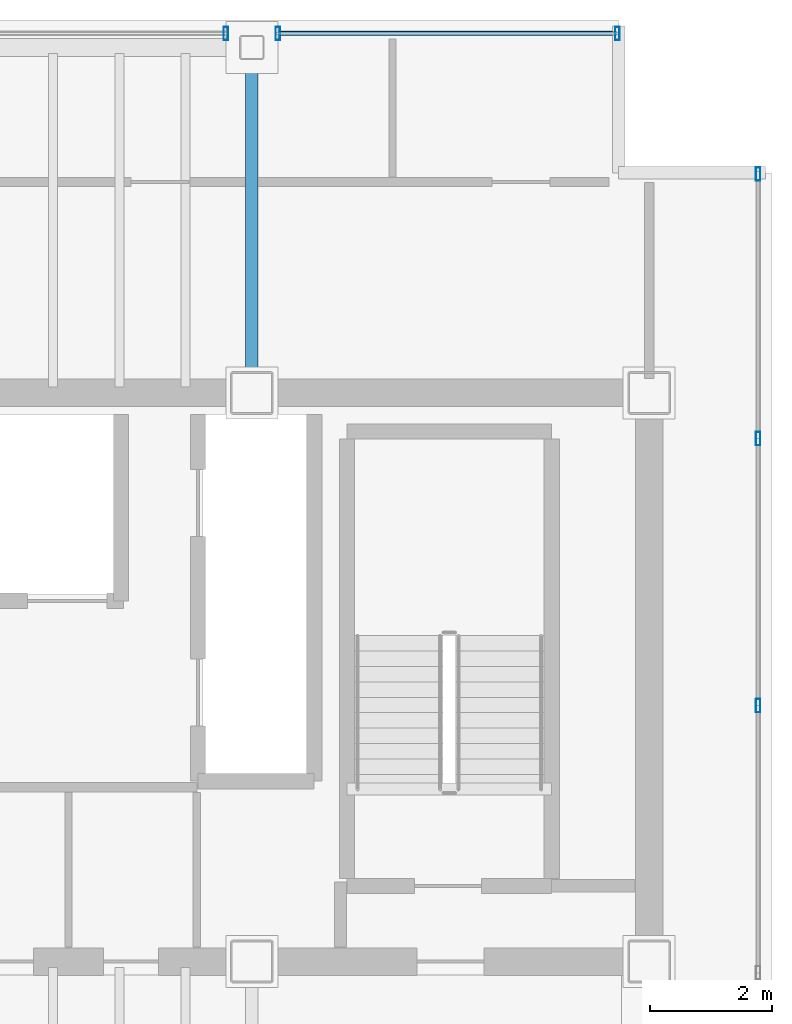
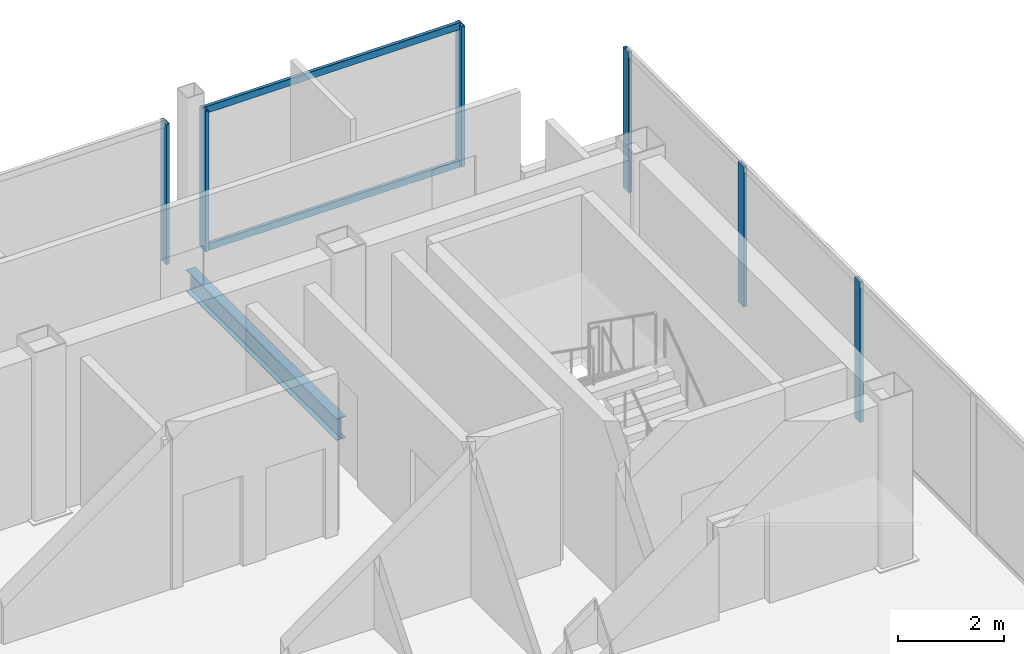
# One storey, part 13 of 17: 8 members, 1 beam, 3 elements without a shape of their own.
"""IFC4 building model written with IfcOpenShell, lengths in metres."""

import ifcopenshell
import ifcopenshell.guid

model = None  # the IFC model being written
_history = None  # IfcOwnerHistory: only IFC2X3 demands one
_inside = {}  # id of a spatial element -> (the spatial element, [elements in it])
_under = {}  # id of a project, library or spatial element -> (it, [spatial elements below it])
_declared = {}  # id of a project -> (the project, [libraries it declares])
_typed = {}  # id of a type object -> (the type object, [elements of that type])
_made_of = {}  # id of a material, layer set ... -> (it, [elements and type objects made of it])


def new_model(schema):
    """Start an empty IFC model of exactly this schema.

    Asked for "IFC4X3", IfcOpenShell would pick the latest addendum, in which some entities
    have other attributes; the version numbers below select the first issue.
    IFC2X3 requires an IfcOwnerHistory on every rooted entity: one is made here for all.
    """
    global model, _history
    if schema == "IFC4X3":
        model = ifcopenshell.file(schema_version=(4, 3, 0, 0))
    else:
        model = ifcopenshell.file(schema=schema)
    _inside.clear()
    _under.clear()
    _declared.clear()
    _typed.clear()
    _made_of.clear()
    _history = None
    if model.schema == "IFC2X3":
        org = make("IfcOrganization", Name="unknown")
        user = make(
            "IfcPersonAndOrganization",
            ThePerson=make("IfcPerson", FamilyName="unknown"),
            TheOrganization=org,
        )
        app = make(
            "IfcApplication",
            ApplicationDeveloper=org,
            Version="unknown",
            ApplicationFullName="unknown",
            ApplicationIdentifier="unknown",
        )
        _history = make(
            "IfcOwnerHistory",
            OwningUser=user,
            OwningApplication=app,
            ChangeAction="ADDED",
            CreationDate=0,
        )
    return model


def make(cls, **values):
    """One entity of the class cls with the attributes given. An attribute that is None is left unset."""
    return model.create_entity(
        cls, **{name: value for name, value in values.items() if value is not None}
    )


def rooted(cls, **values):
    """An entity with a GlobalId (a new one), such as an element, a storey or a relation."""
    return make(cls, GlobalId=ifcopenshell.guid.new(), OwnerHistory=_history, **values)


def si_unit(unit_type, name, prefix=None):
    """IfcSIUnit, for example si_unit("LENGTHUNIT", "METRE", prefix="MILLI")."""
    return make("IfcSIUnit", UnitType=unit_type, Prefix=prefix, Name=name)


def assignment(units):
    """IfcUnitAssignment: the units of a project."""
    return None if units is None else make("IfcUnitAssignment", Units=units)


def point(xyz):
    """IfcCartesianPoint."""
    return None if xyz is None else make("IfcCartesianPoint", Coordinates=xyz)


def direction(xyz):
    """IfcDirection."""
    return None if xyz is None else make("IfcDirection", DirectionRatios=xyz)


def frame(location, z_axis=None, x_axis=None):
    """IfcAxis2Placement3D, a coordinate frame: its origin and axes. An axis left out is left unset."""
    return make(
        "IfcAxis2Placement3D",
        Location=point(location),
        Axis=direction(z_axis),
        RefDirection=direction(x_axis),
    )


def frame_2d(location, x_axis=None):
    """IfcAxis2Placement2D, a coordinate frame in the plane: its origin and x axis."""
    return make(
        "IfcAxis2Placement2D", Location=point(location), RefDirection=direction(x_axis)
    )


def origin():
    """The frame at (0, 0, 0) with its axes left unset."""
    return frame((0.0, 0.0, 0.0))


def origin_2d():
    """The frame at (0, 0) in the plane with its x axis left unset."""
    return frame_2d((0.0, 0.0))


def place(relative_to, where):
    """IfcLocalPlacement: puts the frame where relative to a parent placement (None: the world)."""
    return make(
        "IfcLocalPlacement", PlacementRelTo=relative_to, RelativePlacement=where
    )


def context(
    kind, dimensions, precision=None, world=None, true_north=None, identifier=None
):
    """IfcGeometricRepresentationContext, for example the 3D "Model" context."""
    return make(
        "IfcGeometricRepresentationContext",
        ContextIdentifier=identifier,
        ContextType=kind,
        CoordinateSpaceDimension=dimensions,
        Precision=precision,
        WorldCoordinateSystem=world,
        TrueNorth=true_north,
    )


def subcontext(parent, identifier, kind, view, scale=None):
    """IfcGeometricRepresentationSubContext, for example "Body" below "Model"."""
    return make(
        "IfcGeometricRepresentationSubContext",
        ContextIdentifier=identifier,
        ContextType=kind,
        ParentContext=parent,
        TargetScale=scale,
        TargetView=view,
    )


def project(units=None, contexts=None):
    """IfcProject with its units and contexts."""
    return rooted(
        "IfcProject",
        Name="project",
        RepresentationContexts=contexts,
        UnitsInContext=assignment(units),
    )


def spatial(cls, under=None, at=None, **own):
    """A site, building, storey or space (cls), placed at a placement, below another one or the project."""
    s = rooted(cls, ObjectPlacement=at, **own)
    if under is not None:
        _under.setdefault(under.id(), (under, []))[1].append(s)
    return s


def profile(cls, at=None, kind="AREA", **sizes):
    """A parametric profile (cls). Its sizes go by their IFC names, for example OverallWidth=200.0."""
    return make(cls, ProfileType=kind, Position=at, **sizes)


def hollow_rectangle(**sizes):
    """IfcRectangleHollowProfileDef."""
    return profile("IfcRectangleHollowProfileDef", **sizes)


def i_section(**sizes):
    """IfcIShapeProfileDef."""
    return profile("IfcIShapeProfileDef", **sizes)


def extrude(swept, where, along, depth):
    """IfcExtrudedAreaSolid: the profile swept, set in the frame where, extruded along a direction by depth."""
    return make(
        "IfcExtrudedAreaSolid",
        SweptArea=swept,
        Position=where,
        ExtrudedDirection=direction(along),
        Depth=depth,
    )


def shape(context_of_items, identifier, shape_type, items):
    """IfcShapeRepresentation: the items that make up one representation, for example the "Body"."""
    return make(
        "IfcShapeRepresentation",
        ContextOfItems=context_of_items,
        RepresentationIdentifier=identifier,
        RepresentationType=shape_type,
        Items=items,
    )


def material(Name=None, Category=None):
    """IfcMaterial."""
    return make("IfcMaterial", Name=Name, Category=Category)


def material_profile(
    of_material, cross_section, Name=None, Category=None, Priority=None
):
    """IfcMaterialProfile: a cross section and its material."""
    return make(
        "IfcMaterialProfile",
        Name=Name,
        Material=of_material,
        Profile=cross_section,
        Priority=Priority,
        Category=Category,
    )


def profile_set(profiles, Name=None, composite=None):
    """IfcMaterialProfileSet."""
    return make(
        "IfcMaterialProfileSet",
        Name=Name,
        MaterialProfiles=profiles,
        CompositeProfile=composite,
    )


def made_of(thing, what):
    """Note that an element or type object is made of a material, layer set ...; save() writes the relation."""
    if what is not None:
        _made_of.setdefault(what.id(), (what, []))[1].append(thing)
    return thing


def type_object(cls, material=None, **own):
    """A type object (cls), such as IfcWallType, which elements share."""
    return made_of(rooted(cls, **own), material)


def element(
    cls,
    number,
    at=None,
    inside=None,
    cuts=None,
    type_object=None,
    material=None,
    context=None,
    identifier="Body",
    shape_type=None,
    held_by="IfcProductDefinitionShape",
    body=None,
    shapes=None,
    **own,
):
    """One element of the class cls, such as IfcWall. Its Tag is "e" and its number.

    at: its placement. inside: the storey or other place that contains it. cuts: it is an
    opening in that element (IfcRelVoidsElement). A single representation is given by context,
    identifier, shape_type and body (its items); several are given by shapes. held_by: the class
    of the entity that holds the representations. save() writes the other relations.
    """
    e = rooted(cls, Tag="e%d" % number, ObjectPlacement=at, **own)
    if body is not None:
        shapes = [shape(context, identifier, shape_type, body)]
    if shapes is not None:
        e.Representation = make(held_by, Representations=shapes)
    if inside is not None:
        _inside.setdefault(inside.id(), (inside, []))[1].append(e)
    if cuts is not None:
        rooted(
            "IfcRelVoidsElement", RelatingBuildingElement=cuts, RelatedOpeningElement=e
        )
    if type_object is not None:
        _typed.setdefault(type_object.id(), (type_object, []))[1].append(e)
    return made_of(e, material)


def aggregate(whole, parts):
    """IfcRelAggregates: a whole, such as a stair, and the parts it consists of."""
    return rooted("IfcRelAggregates", RelatingObject=whole, RelatedObjects=parts)


def save(model, path):
    """Write the relations noted so far, then the file.

    IfcRelAggregates (storeys below a building ...), IfcRelContainedInSpatialStructure (elements
    in a storey), IfcRelDefinesByType, IfcRelAssociatesMaterial and IfcRelDeclares: one each for
    every whole, place, type object, material and project.
    """
    for whole, parts in _under.values():
        aggregate(whole, parts)
    for where, things in _inside.values():
        rooted(
            "IfcRelContainedInSpatialStructure",
            RelatedElements=things,
            RelatingStructure=where,
        )
    for kind, things in _typed.values():
        rooted("IfcRelDefinesByType", RelatedObjects=things, RelatingType=kind)
    for what, things in _made_of.values():
        rooted("IfcRelAssociatesMaterial", RelatedObjects=things, RelatingMaterial=what)
    for by, libraries in _declared.values():
        rooted("IfcRelDeclares", RelatingContext=by, RelatedDefinitions=libraries)
    model.write(path)


model = new_model("IFC4")

# Units and contexts
model_context = context("Model", 3, precision=1e-05, world=origin(), true_north=direction((0.0, 1.0)))
body_context = subcontext(model_context, "Body", "Model", "MODEL_VIEW")
ifc_project = project(units=[si_unit("LENGTHUNIT", "METRE"), si_unit("AREAUNIT", "SQUARE_METRE"), si_unit("VOLUMEUNIT", "CUBIC_METRE"), si_unit("PLANEANGLEUNIT", "RADIAN"), si_unit("MASSUNIT", "GRAM", prefix="KILO")], contexts=[model_context])

# Site, building, storey
site_placement = place(None, origin())
site = spatial("IfcSite", under=ifc_project, at=site_placement, CompositionType="ELEMENT")
building_placement = place(site_placement, origin())
building = spatial("IfcBuilding", under=site, at=building_placement, Name="Noeulbin Bourse Tower", CompositionType="ELEMENT")
storey_placement = place(building_placement, frame((0.0, 0.0, 273.5)))
storey = spatial("IfcBuildingStorey", under=building, at=storey_placement, Name="L68", CompositionType="ELEMENT", Elevation=273.5)

# Beam
ifc_material_1 = material(Name="Steel S355", Category="steel")
ifc_material_profile_1 = material_profile(ifc_material_1, i_section(OverallWidth=0.199951171875, OverallDepth=0.5, WebThickness=0.010009765625, FlangeThickness=0.01611328125, FilletRadius=0.02001953125, at=origin_2d()), Name="H-500x200x10x16", Category="LoadBearing")
ifc_profile_set_1 = profile_set([ifc_material_profile_1], Name="Steel S355")
beam_type = type_object("IfcBeamType", Name="BM-GRD-500", PredefinedType="USERDEFINED", material=ifc_profile_set_1)
beam_placement = place(storey_placement, frame((37.5, 38.300048828125, -0.429931640625), z_axis=(0.0, 1.0, 0.0), x_axis=(-1.0, 0.0, 0.0)))
element("IfcBeam", 1, at=beam_placement, inside=storey, type_object=beam_type, Name="Tower Primary Girder NS L68-4.4", ObjectType="GIRDER", PredefinedType="USERDEFINED", context=body_context, shape_type="SweptSolid", body=[
    extrude(i_section(OverallWidth=0.199951171875, OverallDepth=0.5, WebThickness=0.010009765625, FlangeThickness=0.01611328125, FilletRadius=0.02001953125, at=origin_2d()), origin(), (0.0, 0.0, 1.0), 5.64990234375),
])

# Curtain wall, member
ifc_material_2 = material(Name="High-Selectivity Low-Iron Glazing", Category="glass")
curtain_wall_type = type_object("IfcCurtainWallType", Name="CW-SYS-4", PredefinedType="NOTDEFINED", material=ifc_material_2)
curtain_wall_1_placement = place(storey_placement, origin())
curtain_wall_1 = element("IfcCurtainWall", 2, at=curtain_wall_1_placement, inside=storey, type_object=curtain_wall_type, Name="Unitised Curtain Wall CW-L68-N-S4", PredefinedType="NOTDEFINED")
ifc_material_3 = material(Name="Anodised Aluminium 6063-T6", Category="aluminium")
ifc_material_profile_2 = material_profile(ifc_material_3, hollow_rectangle(XDim=0.074951171875, YDim=0.219970703125, WallThickness=0.0048828125, InnerFilletRadius=0.00244140625, OuterFilletRadius=0.0048828125, at=origin_2d()), Name="ALU-MULL-75x220x5", Category="LoadBearing")
ifc_profile_set_2 = profile_set([ifc_material_profile_2], Name="Anodised Aluminium 6063-T6")
member_type_1 = type_object("IfcMemberType", Name="CW-SYS-4-MUL", PredefinedType="MULLION", material=ifc_profile_set_2)
member_1_placement = place(storey_placement, frame((37.074951171875, 44.179931640625, -0.02001953125), z_axis=(0.0, 0.0, 1.0), x_axis=(1.0, 0.0, 0.0)))
member_1 = element("IfcMember", 3, at=member_1_placement, type_object=member_type_1, Name="Curtain Wall Mullion CW-L68-N-S4-M01", PredefinedType="MULLION", context=body_context, shape_type="SweptSolid", body=[
    extrude(hollow_rectangle(XDim=0.074951171875, YDim=0.219970703125, WallThickness=0.0048828125, InnerFilletRadius=0.00244140625, OuterFilletRadius=0.0048828125, at=origin_2d()), origin(), (0.0, 0.0, 1.0), 3.219970703125),
])
aggregate(curtain_wall_1, [member_1])

# Curtain wall, members
curtain_wall_2_placement = place(storey_placement, origin())
curtain_wall_2 = element("IfcCurtainWall", 4, at=curtain_wall_2_placement, inside=storey, type_object=curtain_wall_type, Name="Unitised Curtain Wall CW-L68-N-S5", PredefinedType="NOTDEFINED")
member_2_placement = place(storey_placement, frame((37.925048828125, 44.179931640625, -0.02001953125), z_axis=(0.0, 0.0, 1.0), x_axis=(1.0, 0.0, 0.0)))
member_2 = element("IfcMember", 5, at=member_2_placement, type_object=member_type_1, Name="Curtain Wall Mullion CW-L68-N-S5-M00", PredefinedType="MULLION", context=body_context, shape_type="SweptSolid", body=[
    extrude(hollow_rectangle(XDim=0.074951171875, YDim=0.219970703125, WallThickness=0.0048828125, InnerFilletRadius=0.00244140625, OuterFilletRadius=0.0048828125, at=origin_2d()), origin(), (0.0, 0.0, 1.0), 3.219970703125),
])
member_3_placement = place(storey_placement, frame((43.47998046875, 44.179931640625, -0.02001953125), z_axis=(0.0, 0.0, 1.0), x_axis=(1.0, 0.0, 0.0)))
member_3 = element("IfcMember", 6, at=member_3_placement, type_object=member_type_1, Name="Curtain Wall Mullion CW-L68-N-S5-M01", PredefinedType="MULLION", context=body_context, shape_type="SweptSolid", body=[
    extrude(hollow_rectangle(XDim=0.074951171875, YDim=0.219970703125, WallThickness=0.0048828125, InnerFilletRadius=0.00244140625, OuterFilletRadius=0.0048828125, at=origin_2d()), origin(), (0.0, 0.0, 1.0), 3.219970703125),
])

curtain_wall_3_placement = place(storey_placement, origin())
curtain_wall_3 = element("IfcCurtainWall", 7, at=curtain_wall_3_placement, inside=storey, type_object=curtain_wall_type, Name="Unitised Curtain Wall CW-L68-E", PredefinedType="NOTDEFINED")
member_4_placement = place(storey_placement, frame((45.780029296875, 33.18408203125, -0.02001953125), z_axis=(0.0, 0.0, 1.0), x_axis=(1.0, 0.0, 0.0)))
member_4 = element("IfcMember", 8, at=member_4_placement, type_object=member_type_1, Name="Curtain Wall Mullion CW-L68-E-M03", PredefinedType="MULLION", context=body_context, shape_type="SweptSolid", body=[
    extrude(hollow_rectangle(XDim=0.074951171875, YDim=0.219970703125, WallThickness=0.0048828125, InnerFilletRadius=0.00244140625, OuterFilletRadius=0.0048828125, at=origin_2d()), origin(), (0.0, 0.0, 1.0), 3.219970703125),
])
member_5_placement = place(storey_placement, frame((45.780029296875, 37.552001953125, -0.02001953125), z_axis=(0.0, 0.0, 1.0), x_axis=(1.0, 0.0, 0.0)))
member_5 = element("IfcMember", 9, at=member_5_placement, type_object=member_type_1, Name="Curtain Wall Mullion CW-L68-E-M04", PredefinedType="MULLION", context=body_context, shape_type="SweptSolid", body=[
    extrude(hollow_rectangle(XDim=0.074951171875, YDim=0.219970703125, WallThickness=0.0048828125, InnerFilletRadius=0.00244140625, OuterFilletRadius=0.0048828125, at=origin_2d()), origin(), (0.0, 0.0, 1.0), 3.219970703125),
])
member_6_placement = place(storey_placement, frame((45.780029296875, 41.8798828125, -0.02001953125), z_axis=(0.0, 0.0, 1.0), x_axis=(1.0, 0.0, 0.0)))
member_6 = element("IfcMember", 10, at=member_6_placement, type_object=member_type_1, Name="Curtain Wall Mullion CW-L68-E-M05", PredefinedType="MULLION", context=body_context, shape_type="SweptSolid", body=[
    extrude(hollow_rectangle(XDim=0.074951171875, YDim=0.219970703125, WallThickness=0.0048828125, InnerFilletRadius=0.00244140625, OuterFilletRadius=0.0048828125, at=origin_2d()), origin(), (0.0, 0.0, 1.0), 3.219970703125),
])
aggregate(curtain_wall_3, [member_4, member_5, member_6])

# Member
ifc_material_profile_3 = material_profile(ifc_material_3, hollow_rectangle(XDim=0.074951171875, YDim=0.159912109375, WallThickness=0.0048828125, InnerFilletRadius=0.00244140625, OuterFilletRadius=0.0048828125, at=origin_2d()), Name="ALU-TRAN-75x160x5", Category="LoadBearing")
ifc_profile_set_3 = profile_set([ifc_material_profile_3], Name="Anodised Aluminium 6063-T6")
member_type_2 = type_object("IfcMemberType", Name="CW-SYS-4-TRN", PredefinedType="USERDEFINED", material=ifc_profile_set_3)
member_7_placement = place(storey_placement, frame((37.93505859375, 44.179931640625, 0.010009765625), z_axis=(1.0, 0.0, 0.0), x_axis=(0.0, 1.0, 0.0)))
member_7 = element("IfcMember", 11, at=member_7_placement, type_object=member_type_2, Name="Curtain Wall Transom CW-L68-N-S5-T00", ObjectType="TRANSOM", PredefinedType="USERDEFINED", context=body_context, shape_type="SweptSolid", body=[
    extrude(hollow_rectangle(XDim=0.074951171875, YDim=0.159912109375, WallThickness=0.0048828125, InnerFilletRadius=0.00244140625, OuterFilletRadius=0.0048828125, at=origin_2d()), origin(), (0.0, 0.0, 1.0), 5.534912109375),
])

member_8_placement = place(storey_placement, frame((37.93505859375, 44.179931640625, 3.169921875), z_axis=(1.0, 0.0, 0.0), x_axis=(0.0, 1.0, 0.0)))
member_8 = element("IfcMember", 12, at=member_8_placement, type_object=member_type_2, Name="Curtain Wall Transom CW-L68-N-S5-T01", ObjectType="TRANSOM", PredefinedType="USERDEFINED", context=body_context, shape_type="SweptSolid", body=[
    extrude(hollow_rectangle(XDim=0.074951171875, YDim=0.159912109375, WallThickness=0.0048828125, InnerFilletRadius=0.00244140625, OuterFilletRadius=0.0048828125, at=origin_2d()), origin(), (0.0, 0.0, 1.0), 5.534912109375),
])

aggregate(curtain_wall_2, [member_2, member_3, member_7, member_8])

save(model, "model.ifc")
